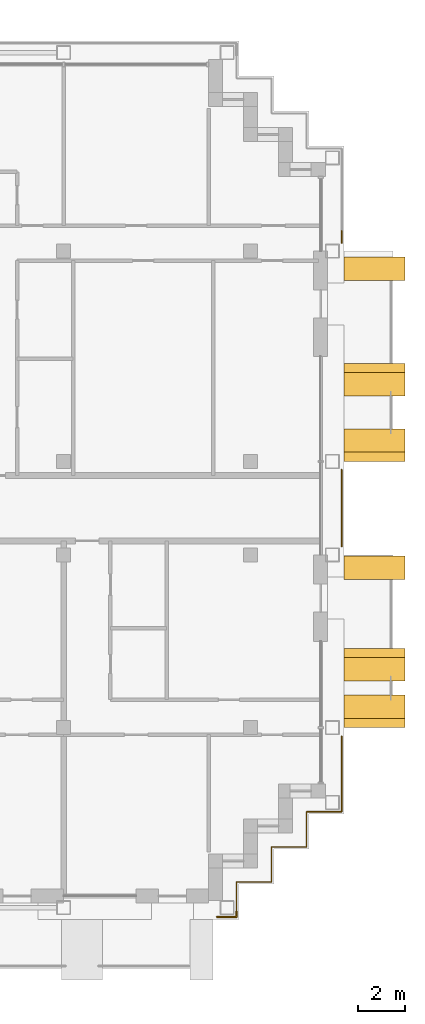
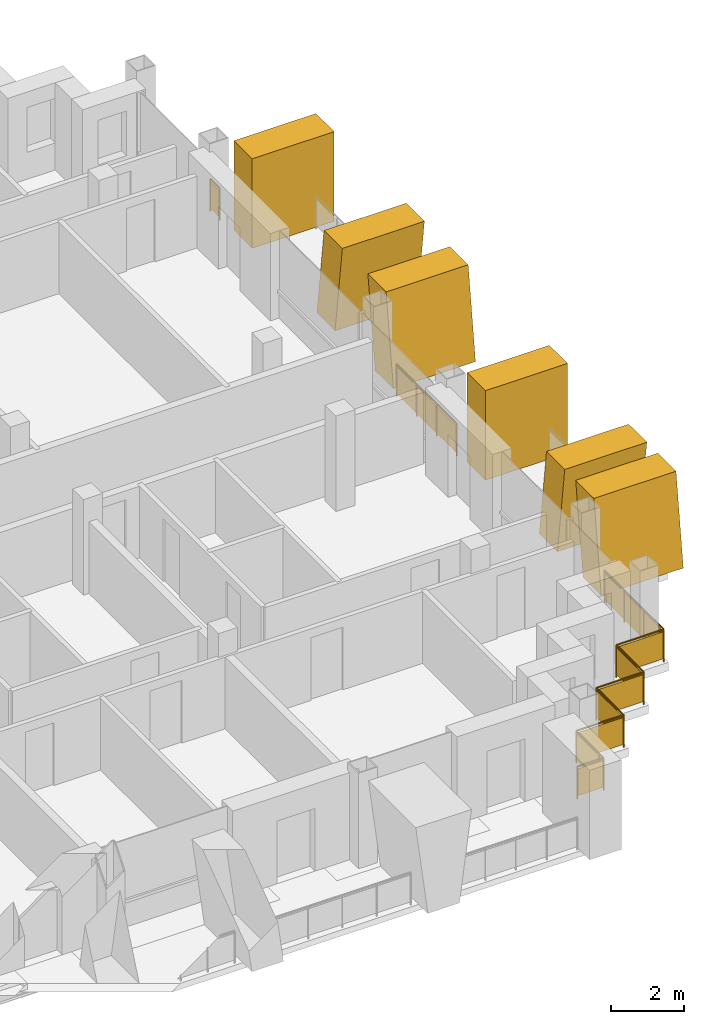
# One storey, part 14 of 16: 6 shading devices, 4 railings.
"""IFC4 building model written with IfcOpenShell, lengths in metres."""

from ifc_helpers import new_model, si_unit, direction, frame, origin, origin_2d, place, context, subcontext, project, spatial, polyline, rectangle, circle, outline, extrude, material, layer, layer_set, type_object, element, save


model = new_model("IFC4")

# Units and contexts
model_context = context("Model", 3, precision=1e-05, world=origin(), true_north=direction((0.0, 1.0)))
body_context = subcontext(model_context, "Body", "Model", "MODEL_VIEW")
ifc_project = project(units=[si_unit("LENGTHUNIT", "METRE"), si_unit("AREAUNIT", "SQUARE_METRE"), si_unit("VOLUMEUNIT", "CUBIC_METRE"), si_unit("PLANEANGLEUNIT", "RADIAN"), si_unit("MASSUNIT", "GRAM", prefix="KILO")], contexts=[model_context])

# Site, building, storey
site_placement = place(None, origin())
site = spatial("IfcSite", under=ifc_project, at=site_placement, CompositionType="ELEMENT")
building_placement = place(site_placement, origin())
building = spatial("IfcBuilding", under=site, at=building_placement, Name="Vidyagriha Tower", CompositionType="ELEMENT")
storey_placement = place(building_placement, frame((0.0, 0.0, 207.60009765625)))
storey = spatial("IfcBuildingStorey", under=building, at=storey_placement, Name="L53", CompositionType="ELEMENT", Elevation=207.60009765625)

# Shading devices
ifc_material_1 = material(Name="Precast concrete C40/50 with buff brick facing", Category="concrete")
ifc_layer_1 = layer(ifc_material_1, 1.0)
ifc_layer_set_1 = layer_set([ifc_layer_1], Name="Precast concrete C40/50 with buff brick facing")
shading_device_type_1 = type_object("IfcShadingDeviceType", Name="Brick-faced blade fin arm leaning 8 degrees", PredefinedType="USERDEFINED", material=ifc_layer_set_1)
shading_device_1_placement = place(storey_placement, frame((31.300048828125, -9.39990234375, 0.0), z_axis=(0.0, 0.0, 1.0), x_axis=(0.0, 1.0, 0.0)))
element("IfcShadingDevice", 1, at=shading_device_1_placement, inside=storey, type_object=shading_device_type_1, Name="Leaning blade fin L53 R30.240a", ObjectType="BLADE FIN", PredefinedType="USERDEFINED", context=body_context, shape_type="SweptSolid", body=[
    extrude(outline(polyline([(0.0, 0.0), (1.0, 0.0), (1.39990234375, 3.0), (0.39990234375, 3.0), (0.0, 0.0)])), frame((0.0, 1.300048828125, 0.0), z_axis=(0.0, -1.0, 0.0), x_axis=(1.0, 0.0, 0.0)), (0.0, 0.0, 1.0), 2.60009765625),
])
shading_device_2_placement = place(storey_placement, frame((31.300048828125, -7.39990234375, 0.0), z_axis=(0.0, 0.0, 1.0), x_axis=(0.0, 1.0, 0.0)))
element("IfcShadingDevice", 2, at=shading_device_2_placement, inside=storey, type_object=shading_device_type_1, Name="Leaning blade fin L53 R30.240b", ObjectType="BLADE FIN", PredefinedType="USERDEFINED", context=body_context, shape_type="SweptSolid", body=[
    extrude(outline(polyline([(0.39990234375, 0.0), (1.39990234375, 0.0), (1.0, 3.0), (0.0, 3.0), (0.39990234375, 0.0)])), frame((0.0, 1.300048828125, 0.0), z_axis=(0.0, -1.0, 0.0), x_axis=(1.0, 0.0, 0.0)), (0.0, 0.0, 1.0), 2.60009765625),
])
shading_device_3_placement = place(storey_placement, frame((31.300048828125, 2.0, 0.0), z_axis=(0.0, 0.0, 1.0), x_axis=(0.0, 1.0, 0.0)))
element("IfcShadingDevice", 3, at=shading_device_3_placement, inside=storey, type_object=shading_device_type_1, Name="Leaning blade fin L53 R30.1380a", ObjectType="BLADE FIN", PredefinedType="USERDEFINED", context=body_context, shape_type="SweptSolid", body=[
    extrude(outline(polyline([(0.0, 0.0), (1.0, 0.0), (1.39990234375, 3.0), (0.39990234375, 3.0), (0.0, 0.0)])), frame((0.0, 1.300048828125, 0.0), z_axis=(0.0, -1.0, 0.0), x_axis=(1.0, 0.0, 0.0)), (0.0, 0.0, 1.0), 2.60009765625),
])
shading_device_4_placement = place(storey_placement, frame((31.300048828125, 4.800048828125, 0.0), z_axis=(0.0, 0.0, 1.0), x_axis=(0.0, 1.0, 0.0)))
element("IfcShadingDevice", 4, at=shading_device_4_placement, inside=storey, type_object=shading_device_type_1, Name="Leaning blade fin L53 R30.1380b", ObjectType="BLADE FIN", PredefinedType="USERDEFINED", context=body_context, shape_type="SweptSolid", body=[
    extrude(outline(polyline([(0.39990234375, 0.0), (1.39990234375, 0.0), (1.0, 3.0), (0.0, 3.0), (0.39990234375, 0.0)])), frame((0.0, 1.300048828125, 0.0), z_axis=(0.0, -1.0, 0.0), x_axis=(1.0, 0.0, 0.0)), (0.0, 0.0, 1.0), 2.60009765625),
])
ifc_material_2 = material(Name="Precast concrete C40/50 with buff brick facing", Category="concrete")
ifc_layer_2 = layer(ifc_material_2, 1.0)
ifc_layer_set_2 = layer_set([ifc_layer_2], Name="Precast concrete C40/50 with buff brick facing")
shading_device_type_2 = type_object("IfcShadingDeviceType", Name="Brick-faced blade fin stem 1000", PredefinedType="USERDEFINED", material=ifc_layer_set_2)
for number, where, z_axis, x_axis, name in (
    (5, (31.300048828125, -3.050048828125, 0.0), (0.0, 0.0, 1.0), (0.0, 1.0, 0.0), "Stem blade fin L53 R30.980a"),
    (6, (31.300048828125, 9.75, 0.0), (0.0, 0.0, 1.0), (0.0, 1.0, 0.0), "Stem blade fin L53 R30.2280a"),
):
    element("IfcShadingDevice", number, at=place(storey_placement, frame(where, z_axis=z_axis, x_axis=x_axis)), inside=storey, type_object=shading_device_type_2, Name=name, ObjectType="BLADE FIN", PredefinedType="USERDEFINED", context=body_context, shape_type="SweptSolid", body=[
        extrude(outline(polyline([(0.0, 0.0), (1.0, 0.0), (1.0, 3.0), (0.0, 3.0), (0.0, 0.0)])), frame((0.0, 1.300048828125, 0.0), z_axis=(0.0, -1.0, 0.0), x_axis=(1.0, 0.0, 0.0)), (0.0, 0.0, 1.0), 2.60009765625),
    ])

# Railings
ifc_material_3 = material(Name="Steel ASTM A500 Grade C black painted", Category="steel")
railing_type = type_object("IfcRailingType", Name="Gallery guard 1100", PredefinedType="GUARDRAIL", material=ifc_material_3)
railing_1_placement = place(storey_placement, frame((29.89990234375, 11.8701171875, 0.0)))
element("IfcRailing", 7, at=railing_1_placement, inside=storey, type_object=railing_type, Name="Gallery guard L53 9", PredefinedType="GUARDRAIL", context=body_context, shape_type="SweptSolid", body=[
    extrude(circle(Radius=0.02490234375, at=origin_2d()), frame((0.0, 0.0, 1.0751953125), z_axis=(0.0, -1.0, 0.0), x_axis=(1.0, 0.0, 0.0)), (0.0, 0.0, 1.0), 0.510009765625),
    extrude(circle(Radius=0.02001953125, at=origin_2d()), origin(), (0.0, 0.0, 1.0), 1.050048828125),
    extrude(circle(Radius=0.02001953125, at=origin_2d()), frame((0.0, -0.510009765625, 0.0)), (0.0, 0.0, 1.0), 1.050048828125),
    extrude(rectangle(XDim=0.010009765625, YDim=0.900146484375, at=origin_2d()), frame((0.0, 0.0, 0.550048828125), z_axis=(0.0, -1.0, 0.0), x_axis=(1.0, 0.0, 0.0)), (0.0, 0.0, 1.0), 0.510009765625),
])
railing_2_placement = place(storey_placement, frame((29.89990234375, -9.760009765625, 0.0)))
element("IfcRailing", 8, at=railing_2_placement, inside=storey, type_object=railing_type, Name="Gallery guard L53 10", PredefinedType="GUARDRAIL", context=body_context, shape_type="SweptSolid", body=[
    extrude(circle(Radius=0.02490234375, at=origin_2d()), frame((0.0, 0.0, 1.0751953125), z_axis=(0.0, -1.0, 0.0), x_axis=(1.0, 0.0, 0.0)), (0.0, 0.0, 1.0), 3.239990234375),
    extrude(circle(Radius=0.02490234375, at=origin_2d()), frame((0.0, -3.239990234375, 1.0751953125), z_axis=(-1.0, 0.0, 0.0), x_axis=(0.0, -1.0, 0.0)), (0.0, 0.0, 1.0), 1.5),
    extrude(circle(Radius=0.02490234375, at=origin_2d()), frame((-1.5, -3.239990234375, 1.0751953125), z_axis=(0.0, -1.0, 0.0), x_axis=(1.0, 0.0, 0.0)), (0.0, 0.0, 1.0), 1.5),
    extrude(circle(Radius=0.02490234375, at=origin_2d()), frame((-1.5, -4.739990234375, 1.0751953125), z_axis=(-1.0, 0.0, 0.0), x_axis=(0.0, -1.0, 0.0)), (0.0, 0.0, 1.0), 1.5),
    extrude(circle(Radius=0.02490234375, at=origin_2d()), frame((-3.0, -4.739990234375, 1.0751953125), z_axis=(0.0, -1.0, 0.0), x_axis=(1.0, 0.0, 0.0)), (0.0, 0.0, 1.0), 1.5),
    extrude(circle(Radius=0.02490234375, at=origin_2d()), frame((-3.0, -6.239990234375, 1.0751953125), z_axis=(-1.0, 0.0, 0.0), x_axis=(0.0, -1.0, 0.0)), (0.0, 0.0, 1.0), 1.5),
    extrude(circle(Radius=0.02490234375, at=origin_2d()), frame((-4.5, -6.239990234375, 1.0751953125), z_axis=(0.0, -1.0, 0.0), x_axis=(1.0, 0.0, 0.0)), (0.0, 0.0, 1.0), 1.260009765625),
    extrude(circle(Radius=0.02001953125, at=origin_2d()), origin(), (0.0, 0.0, 1.0), 1.050048828125),
    extrude(circle(Radius=0.02001953125, at=origin_2d()), frame((0.0, -1.080078125, 0.0)), (0.0, 0.0, 1.0), 1.050048828125),
    extrude(circle(Radius=0.02001953125, at=origin_2d()), frame((0.0, -2.159912109375, 0.0)), (0.0, 0.0, 1.0), 1.050048828125),
    extrude(circle(Radius=0.02001953125, at=origin_2d()), frame((0.0, -3.239990234375, 0.0)), (0.0, 0.0, 1.0), 1.050048828125),
    extrude(circle(Radius=0.02001953125, at=origin_2d()), frame((-1.5, -3.239990234375, 0.0)), (0.0, 0.0, 1.0), 1.050048828125),
    extrude(circle(Radius=0.02001953125, at=origin_2d()), frame((-1.5, -4.739990234375, 0.0)), (0.0, 0.0, 1.0), 1.050048828125),
    extrude(circle(Radius=0.02001953125, at=origin_2d()), frame((-3.0, -4.739990234375, 0.0)), (0.0, 0.0, 1.0), 1.050048828125),
    extrude(circle(Radius=0.02001953125, at=origin_2d()), frame((-3.0, -6.239990234375, 0.0)), (0.0, 0.0, 1.0), 1.050048828125),
    extrude(circle(Radius=0.02001953125, at=origin_2d()), frame((-4.5, -6.239990234375, 0.0)), (0.0, 0.0, 1.0), 1.050048828125),
    extrude(circle(Radius=0.02001953125, at=origin_2d()), frame((-4.5, -7.5, 0.0)), (0.0, 0.0, 1.0), 1.050048828125),
    extrude(rectangle(XDim=0.010009765625, YDim=0.900146484375, at=origin_2d()), frame((0.0, 0.0, 0.550048828125), z_axis=(0.0, -1.0, 0.0), x_axis=(1.0, 0.0, 0.0)), (0.0, 0.0, 1.0), 3.239990234375),
    extrude(rectangle(XDim=0.010009765625, YDim=0.900146484375, at=origin_2d()), frame((0.0, -3.239990234375, 0.550048828125), z_axis=(-1.0, 0.0, 0.0), x_axis=(0.0, -1.0, 0.0)), (0.0, 0.0, 1.0), 1.5),
    extrude(rectangle(XDim=0.010009765625, YDim=0.900146484375, at=origin_2d()), frame((-1.5, -3.239990234375, 0.550048828125), z_axis=(0.0, -1.0, 0.0), x_axis=(1.0, 0.0, 0.0)), (0.0, 0.0, 1.0), 1.5),
    extrude(rectangle(XDim=0.010009765625, YDim=0.900146484375, at=origin_2d()), frame((-1.5, -4.739990234375, 0.550048828125), z_axis=(-1.0, 0.0, 0.0), x_axis=(0.0, -1.0, 0.0)), (0.0, 0.0, 1.0), 1.5),
    extrude(rectangle(XDim=0.010009765625, YDim=0.900146484375, at=origin_2d()), frame((-3.0, -4.739990234375, 0.550048828125), z_axis=(0.0, -1.0, 0.0), x_axis=(1.0, 0.0, 0.0)), (0.0, 0.0, 1.0), 1.5),
    extrude(rectangle(XDim=0.010009765625, YDim=0.900146484375, at=origin_2d()), frame((-3.0, -6.239990234375, 0.550048828125), z_axis=(-1.0, 0.0, 0.0), x_axis=(0.0, -1.0, 0.0)), (0.0, 0.0, 1.0), 1.5),
    extrude(rectangle(XDim=0.010009765625, YDim=0.900146484375, at=origin_2d()), frame((-4.5, -6.239990234375, 0.550048828125), z_axis=(0.0, -1.0, 0.0), x_axis=(1.0, 0.0, 0.0)), (0.0, 0.0, 1.0), 1.260009765625),
])
railing_3_placement = place(storey_placement, frame((25.39990234375, -17.260009765625, 0.0)))
element("IfcRailing", 9, at=railing_3_placement, inside=storey, type_object=railing_type, Name="Gallery guard L53 11", PredefinedType="GUARDRAIL", context=body_context, shape_type="SweptSolid", body=[
    extrude(circle(Radius=0.02490234375, at=origin_2d()), frame((0.0, 0.0, 1.0751953125), z_axis=(0.0, -1.0, 0.0), x_axis=(1.0, 0.0, 0.0)), (0.0, 0.0, 1.0), 0.239990234375),
    extrude(circle(Radius=0.02490234375, at=origin_2d()), frame((0.0, -0.239990234375, 1.0751953125), z_axis=(-1.0, 0.0, 0.0), x_axis=(0.0, -1.0, 0.0)), (0.0, 0.0, 1.0), 0.83984375),
    extrude(circle(Radius=0.02001953125, at=origin_2d()), origin(), (0.0, 0.0, 1.0), 1.050048828125),
    extrude(circle(Radius=0.02001953125, at=origin_2d()), frame((0.0, -0.239990234375, 0.0)), (0.0, 0.0, 1.0), 1.050048828125),
    extrude(circle(Radius=0.02001953125, at=origin_2d()), frame((-0.83984375, -0.239990234375, 0.0)), (0.0, 0.0, 1.0), 1.050048828125),
    extrude(rectangle(XDim=0.010009765625, YDim=0.900146484375, at=origin_2d()), frame((0.0, 0.0, 0.550048828125), z_axis=(0.0, -1.0, 0.0), x_axis=(1.0, 0.0, 0.0)), (0.0, 0.0, 1.0), 0.239990234375),
    extrude(rectangle(XDim=0.010009765625, YDim=0.900146484375, at=origin_2d()), frame((0.0, -0.239990234375, 0.550048828125), z_axis=(-1.0, 0.0, 0.0), x_axis=(0.0, -1.0, 0.0)), (0.0, 0.0, 1.0), 0.83984375),
])
railing_4_placement = place(storey_placement, frame((29.89990234375, 1.639892578125, 0.0)))
element("IfcRailing", 10, at=railing_4_placement, inside=storey, type_object=railing_type, Name="Gallery guard L53 12", PredefinedType="GUARDRAIL", context=body_context, shape_type="SweptSolid", body=[
    extrude(circle(Radius=0.02490234375, at=origin_2d()), frame((0.0, 0.0, 1.0751953125), z_axis=(0.0, -1.0, 0.0), x_axis=(1.0, 0.0, 0.0)), (0.0, 0.0, 1.0), 3.27978515625),
    extrude(circle(Radius=0.02001953125, at=origin_2d()), origin(), (0.0, 0.0, 1.0), 1.050048828125),
    extrude(circle(Radius=0.02001953125, at=origin_2d()), frame((0.0, -1.09326171875, 0.0)), (0.0, 0.0, 1.0), 1.050048828125),
    extrude(circle(Radius=0.02001953125, at=origin_2d()), frame((0.0, -2.1865234375, 0.0)), (0.0, 0.0, 1.0), 1.050048828125),
    extrude(circle(Radius=0.02001953125, at=origin_2d()), frame((0.0, -3.27978515625, 0.0)), (0.0, 0.0, 1.0), 1.050048828125),
    extrude(rectangle(XDim=0.010009765625, YDim=0.900146484375, at=origin_2d()), frame((0.0, 0.0, 0.550048828125), z_axis=(0.0, -1.0, 0.0), x_axis=(1.0, 0.0, 0.0)), (0.0, 0.0, 1.0), 3.27978515625),
])

save(model, "model.ifc")
